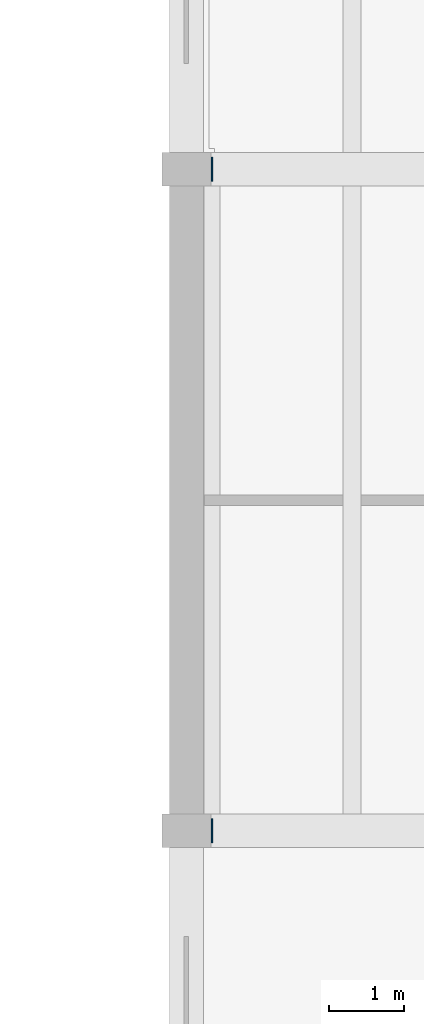
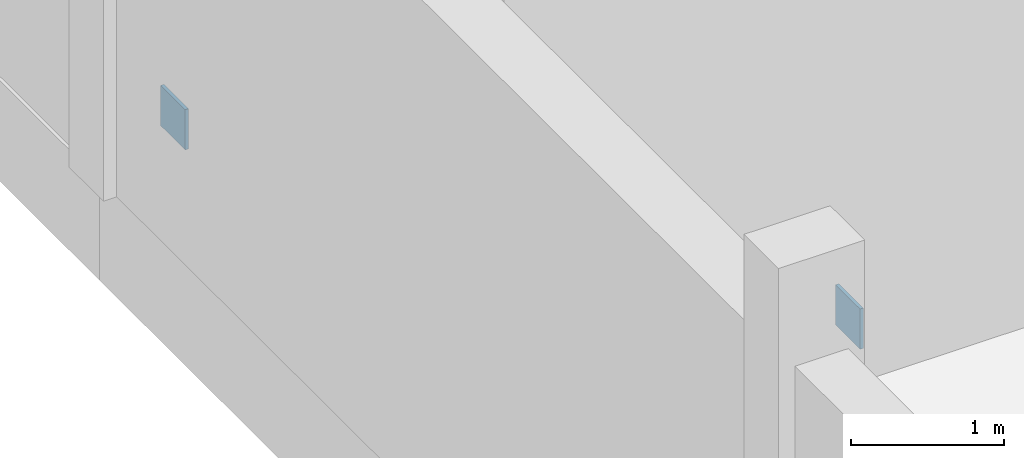
# One storey, part 82 of 125: 2 plates.
"""IFC4 building model written with IfcOpenShell, lengths in metres."""

from ifc_helpers import new_model, si_unit, direction, frame, origin, origin_2d, place, context, subcontext, project, spatial, rectangle, extrude, material, layer, layer_set, type_object, element, save


model = new_model("IFC4")

# Units and contexts
model_context = context("Model", 3, precision=1e-05, world=origin(), true_north=direction((0.0, 1.0)))
body_context = subcontext(model_context, "Body", "Model", "MODEL_VIEW")
ifc_project = project(units=[si_unit("LENGTHUNIT", "METRE"), si_unit("AREAUNIT", "SQUARE_METRE"), si_unit("VOLUMEUNIT", "CUBIC_METRE"), si_unit("PLANEANGLEUNIT", "RADIAN"), si_unit("MASSUNIT", "GRAM", prefix="KILO")], contexts=[model_context])

# Site, building, storey
site_placement = place(None, origin())
site = spatial("IfcSite", under=ifc_project, at=site_placement, CompositionType="ELEMENT")
building_placement = place(site_placement, origin())
building = spatial("IfcBuilding", under=site, at=building_placement, Name="Dornvale Research Institute", CompositionType="ELEMENT")
storey_placement = place(building_placement, frame((0.0, 0.0, 5.39990234375)))
storey = spatial("IfcBuildingStorey", under=building, at=storey_placement, Name="L01", CompositionType="ELEMENT", Elevation=5.39990234375)

# Plates
ifc_material = material(Name="Steel ASTM A572 Grade 50", Category="steel")
ifc_layer = layer(ifc_material, 0.02490234375)
ifc_layer_set = layer_set([ifc_layer], Name="Steel ASTM A572 Grade 50")
plate_type = type_object("IfcPlateType", Name="SheetPlate_EndCap_25", PredefinedType="SHEET", material=ifc_layer_set)
for number, where, z_axis, x_axis, name in (
    (1, (99.340087890625, 17.60009765625, 0.14013671875), (0.0, 0.0, 1.0), (0.0, 1.0, 0.0), "HSS brace node gusset and cap plate ND-053"),
    (2, (99.340087890625, 8.800048828125, 3.89013671875), (0.0, 0.0, 1.0), (0.0, 1.0, 0.0), "HSS brace node gusset and cap plate ND-054"),
):
    element("IfcPlate", number, at=place(storey_placement, frame(where, z_axis=z_axis, x_axis=x_axis)), inside=storey, type_object=plate_type, Name=name, PredefinedType="SHEET", context=body_context, shape_type="SweptSolid", body=[
        extrude(rectangle(XDim=0.320068359375, YDim=0.02490234375, at=origin_2d()), origin(), (0.0, 0.0, 1.0), 0.320068359375),
    ])

save(model, "model.ifc")
